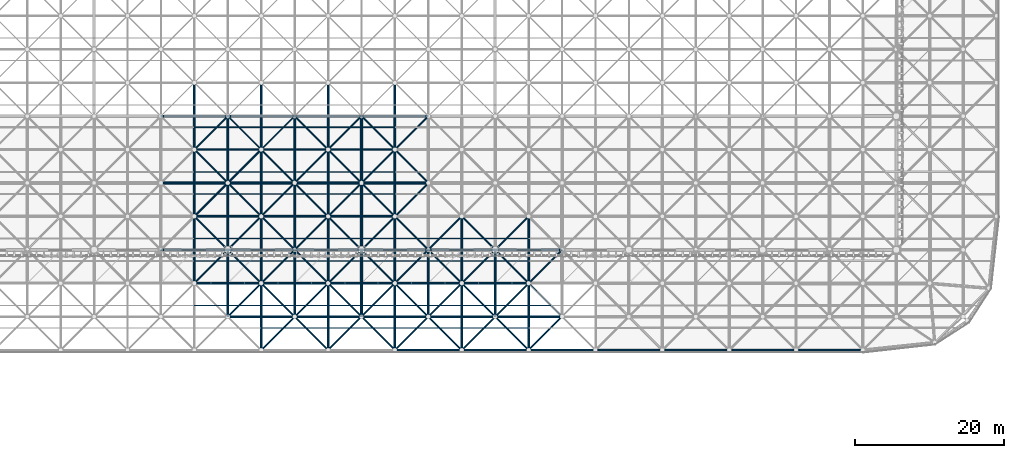
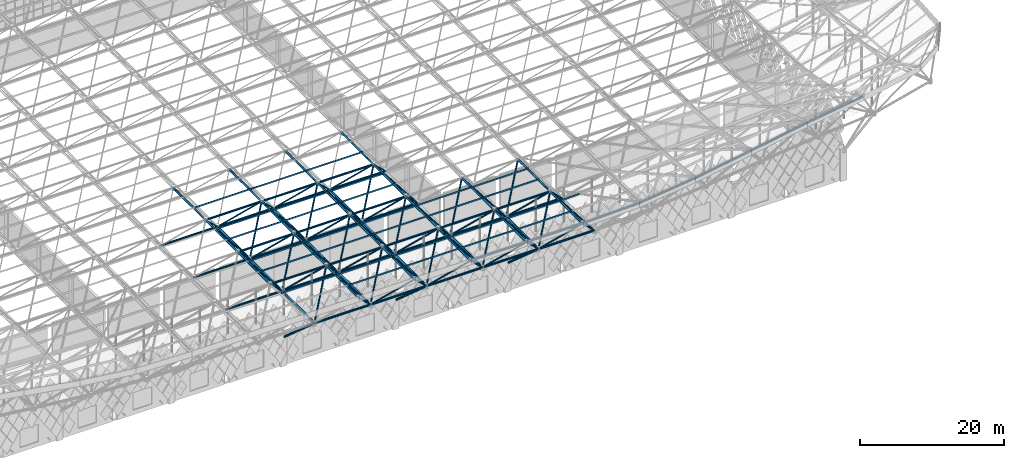
# One storey, part 85 of 437: 160 members.
"""IFC4 building model written with IfcOpenShell, lengths in metres."""

from ifc_helpers import new_model, si_unit, direction, frame, origin, origin_2d, place, context, subcontext, project, spatial, polyline, hollow_circle, outline, extrude, material, material_profile, profile_set, type_object, element, save


model = new_model("IFC4")

# Units and contexts
model_context = context("Model", 3, precision=1e-05, world=origin(), true_north=direction((0.0, 1.0)))
body_context = subcontext(model_context, "Body", "Model", "MODEL_VIEW")
ifc_project = project(units=[si_unit("LENGTHUNIT", "METRE"), si_unit("AREAUNIT", "SQUARE_METRE"), si_unit("VOLUMEUNIT", "CUBIC_METRE"), si_unit("PLANEANGLEUNIT", "RADIAN"), si_unit("MASSUNIT", "GRAM", prefix="KILO")], contexts=[model_context])

# Site, building, storey
site_placement = place(None, origin())
site = spatial("IfcSite", under=ifc_project, at=site_placement, CompositionType="ELEMENT")
building_placement = place(site_placement, origin())
building = spatial("IfcBuilding", under=site, at=building_placement, Name="Opaline Strait Convention Centre", CompositionType="ELEMENT")
storey_placement = place(building_placement, frame((0.0, 0.0, 11.5)))
storey = spatial("IfcBuildingStorey", under=building, at=storey_placement, Name="L02", CompositionType="ELEMENT", Elevation=11.5)

# Members
ifc_material = material(Name="Steel Q355B", Category="steel")
ifc_material_profile_1 = material_profile(ifc_material, hollow_circle(Radius=0.175537109375, WallThickness=0.01611328125, at=origin_2d()), Name="CHS 351x16")
ifc_profile_set_1 = profile_set([ifc_material_profile_1], Name="Steel Q355B")
member_type_1 = type_object("IfcMemberType", Name="Raking prop CHS 351x16", PredefinedType="BRACE", material=ifc_profile_set_1)
for number, where, z_axis, x_axis, name in (
    (1, (171.0, 53.48388671875, 5.01416015625), (0.0, -0.749834093781, 0.661625900191), (1.0, 0.0, 0.0), "Raking prop 171/54 S"),
    (2, (189.0, 53.48388671875, 5.01416015625), (0.0, -0.749834093781, 0.661625900191), (1.0, 0.0, 0.0), "Raking prop 189/54 S"),
    (3, (207.0, 53.48388671875, 5.01416015625), (0.0, -0.749834093781, 0.661625900191), (1.0, 0.0, 0.0), "Raking prop 207/54 S"),
):
    element("IfcMember", number, at=place(storey_placement, frame(where, z_axis=z_axis, x_axis=x_axis)), inside=storey, type_object=member_type_1, Name=name, PredefinedType="BRACE", context=body_context, shape_type="SweptSolid", body=[
        extrude(hollow_circle(Radius=0.175537109375, WallThickness=0.01611328125, at=origin_2d()), origin(), (0.0, 0.0, 1.0), 11.364501953125),
    ])
ifc_material_profile_2 = material_profile(ifc_material, outline(polyline([(-0.03759765625, -0.125), (0.03759765625, -0.125), (0.03759765625, -0.10498046875), (0.034912109375, -0.10498046875), (0.034912109375, -0.12255859375), (-0.034912109375, -0.12255859375), (-0.034912109375, 0.12255859375), (0.034912109375, 0.12255859375), (0.034912109375, 0.10498046875), (0.03759765625, 0.10498046875), (0.03759765625, 0.125), (-0.03759765625, 0.125), (-0.03759765625, -0.125)])), Name="C 250x75x20x2.5")
ifc_profile_set_2 = profile_set([ifc_material_profile_2], Name="Steel Q355B")
member_type_2 = type_object("IfcMemberType", Name="Roof purlin C 250x75x20x2.5", PredefinedType="PURLIN", material=ifc_profile_set_2)
for number, where, z_axis, x_axis, name in (
    (4, (166.5, 46.5, 18.257080078125), (1.0, 0.0, 0.0), (0.0, 1.0, 0.0), "EXB-RF-P-9-0-1"),
    (5, (175.5, 43.5, 18.257080078125), (1.0, 0.0, 0.0), (0.0, 1.0, 0.0), "EXB-RF-P-10-0-0"),
    (6, (175.5, 46.5, 18.257080078125), (1.0, 0.0, 0.0), (0.0, 1.0, 0.0), "EXB-RF-P-10-0-1"),
    (7, (184.5, 43.5, 18.257080078125), (1.0, 0.0, 0.0), (0.0, 1.0, 0.0), "EXB-RF-P-11-0-0"),
    (8, (184.5, 46.5, 18.257080078125), (1.0, 0.0, 0.0), (0.0, 1.0, 0.0), "EXB-RF-P-11-0-1"),
    (9, (193.5, 43.5, 18.257080078125), (1.0, 0.0, 0.0), (0.0, 1.0, 0.0), "EXB-RF-P-12-0-0"),
    (10, (193.5, 46.5, 18.257080078125), (1.0, 0.0, 0.0), (0.0, 1.0, 0.0), "EXB-RF-P-12-0-1"),
    (11, (202.5, 43.5, 18.257080078125), (1.0, 0.0, 0.0), (0.0, 1.0, 0.0), "EXB-RF-P-13-0-0"),
    (12, (202.5, 46.5, 18.257080078125), (1.0, 0.0, 0.0), (0.0, 1.0, 0.0), "EXB-RF-P-13-0-1"),
):
    element("IfcMember", number, at=place(storey_placement, frame(where, z_axis=z_axis, x_axis=x_axis)), inside=storey, type_object=member_type_2, Name=name, PredefinedType="PURLIN", context=body_context, shape_type="SweptSolid", body=[
        extrude(outline(polyline([(-0.03759765625, -0.125), (0.03759765625, -0.125), (0.03759765625, -0.10498046875), (0.034912109375, -0.10498046875), (0.034912109375, -0.12255859375), (-0.034912109375, -0.12255859375), (-0.034912109375, 0.12255859375), (0.034912109375, 0.12255859375), (0.034912109375, 0.10498046875), (0.03759765625, 0.10498046875), (0.03759765625, 0.125), (-0.03759765625, 0.125), (-0.03759765625, -0.125)])), origin(), (0.0, 0.0, 1.0), 9.0),
    ])
member_1_placement = place(storey_placement, frame((211.5, 46.5, 18.257080078125), z_axis=(0.999606664128, 0.0, 0.028044910961), x_axis=(0.0, 1.0, 0.0)))
element("IfcMember", 13, at=member_1_placement, inside=storey, type_object=member_type_2, Name="EXB-RF-P-14-0-1b", PredefinedType="PURLIN", context=body_context, shape_type="SweptSolid", body=[
    extrude(outline(polyline([(-0.03759765625, -0.125), (0.03759765625, -0.125), (0.03759765625, -0.10498046875), (0.034912109375, -0.10498046875), (0.034912109375, -0.12255859375), (-0.034912109375, -0.12255859375), (-0.034912109375, 0.12255859375), (0.034912109375, 0.12255859375), (0.034912109375, 0.10498046875), (0.03759765625, 0.10498046875), (0.03759765625, 0.125), (-0.03759765625, 0.125), (-0.03759765625, -0.125)])), origin(), (0.0, 0.0, 1.0), 2.951171875),
])
for number, where, z_axis, x_axis, name in (
    (14, (166.5, 52.5, 18.257080078125), (1.0, 0.0, 0.0), (0.0, 1.0, 0.0), "EXB-RF-P-9-1-0"),
    (15, (166.5, 55.5, 18.257080078125), (1.0, 0.0, 0.0), (0.0, 1.0, 0.0), "EXB-RF-P-9-1-1"),
    (16, (175.5, 52.5, 18.257080078125), (1.0, 0.0, 0.0), (0.0, 1.0, 0.0), "EXB-RF-P-10-1-0"),
    (17, (175.5, 55.5, 18.257080078125), (1.0, 0.0, 0.0), (0.0, 1.0, 0.0), "EXB-RF-P-10-1-1"),
    (18, (184.5, 52.5, 18.257080078125), (1.0, 0.0, 0.0), (0.0, 1.0, 0.0), "EXB-RF-P-11-1-0"),
    (19, (184.5, 55.5, 18.257080078125), (1.0, 0.0, 0.0), (0.0, 1.0, 0.0), "EXB-RF-P-11-1-1"),
    (20, (193.5, 52.5, 18.257080078125), (1.0, 0.0, 0.0), (0.0, 1.0, 0.0), "EXB-RF-P-12-1-0"),
    (21, (193.5, 55.5, 18.257080078125), (1.0, 0.0, 0.0), (0.0, 1.0, 0.0), "EXB-RF-P-12-1-1"),
    (22, (202.5, 52.5, 18.257080078125), (1.0, 0.0, 0.0), (0.0, 1.0, 0.0), "EXB-RF-P-13-1-0"),
    (23, (202.5, 55.5, 18.257080078125), (1.0, 0.0, 0.0), (0.0, 1.0, 0.0), "EXB-RF-P-13-1-1"),
    (24, (166.5, 61.5, 18.257080078125), (1.0, 0.0, 0.0), (0.0, 1.0, 0.0), "EXB-RF-P-9-2-0"),
    (25, (166.5, 64.5, 18.257080078125), (1.0, 0.0, 0.0), (0.0, 1.0, 0.0), "EXB-RF-P-9-2-1"),
    (26, (175.5, 61.5, 18.257080078125), (1.0, 0.0, 0.0), (0.0, 1.0, 0.0), "EXB-RF-P-10-2-0"),
    (27, (175.5, 64.5, 18.257080078125), (1.0, 0.0, 0.0), (0.0, 1.0, 0.0), "EXB-RF-P-10-2-1"),
    (28, (184.5, 61.5, 18.257080078125), (1.0, 0.0, 0.0), (0.0, 1.0, 0.0), "EXB-RF-P-11-2-0"),
    (29, (184.5, 64.5, 18.257080078125), (1.0, 0.0, 0.0), (0.0, 1.0, 0.0), "EXB-RF-P-11-2-1"),
    (30, (166.5, 70.5, 18.257080078125), (1.0, 0.0, 0.0), (0.0, 1.0, 0.0), "EXB-RF-P-9-3-0"),
    (31, (175.5, 70.5, 18.257080078125), (1.0, 0.0, 0.0), (0.0, 1.0, 0.0), "EXB-RF-P-10-3-0"),
    (32, (184.5, 70.5, 18.257080078125), (1.0, 0.0, 0.0), (0.0, 1.0, 0.0), "EXB-RF-P-11-3-0"),
):
    element("IfcMember", number, at=place(storey_placement, frame(where, z_axis=z_axis, x_axis=x_axis)), inside=storey, type_object=member_type_2, Name=name, PredefinedType="PURLIN", context=body_context, shape_type="SweptSolid", body=[
        extrude(outline(polyline([(-0.03759765625, -0.125), (0.03759765625, -0.125), (0.03759765625, -0.10498046875), (0.034912109375, -0.10498046875), (0.034912109375, -0.12255859375), (-0.034912109375, -0.12255859375), (-0.034912109375, 0.12255859375), (0.034912109375, 0.12255859375), (0.034912109375, 0.10498046875), (0.03759765625, 0.10498046875), (0.03759765625, 0.125), (-0.03759765625, 0.125), (-0.03759765625, -0.125)])), origin(), (0.0, 0.0, 1.0), 9.0),
    ])
ifc_material_profile_3 = material_profile(ifc_material, hollow_circle(Radius=0.16259765625, WallThickness=0.013916015625, at=origin_2d()), Name="CHS 325x14")
ifc_profile_set_3 = profile_set([ifc_material_profile_3], Name="Steel Q355B")
member_type_3 = type_object("IfcMemberType", Name="Space frame bottom chord CHS 325x14", PredefinedType="CHORD", material=ifc_profile_set_3)
for number, where, z_axis, x_axis, name in (
    (33, (161.949951171875, 72.0, 12.5), (1.0, 0.0, 0.0), (0.0, 1.0, 0.0), "EXB-RF-BX-8-3"),
    (34, (170.949951171875, 72.0, 12.5), (1.0, 0.0, 0.0), (0.0, 1.0, 0.0), "EXB-RF-BX-9-3"),
    (35, (179.949951171875, 72.0, 12.5), (1.0, 0.0, 0.0), (0.0, 1.0, 0.0), "EXB-RF-BX-10-3"),
    (36, (188.949951171875, 72.0, 12.5), (1.0, 0.0, 0.0), (0.0, 1.0, 0.0), "EXB-RF-BX-11-3"),
    (37, (180.0, 62.949951171875, 12.5), (0.0, 1.0, 0.0), (-1.0, 0.0, 0.0), "EXB-RF-BY-10-2"),
):
    element("IfcMember", number, at=place(storey_placement, frame(where, z_axis=z_axis, x_axis=x_axis)), inside=storey, type_object=member_type_3, Name=name, PredefinedType="CHORD", context=body_context, shape_type="SweptSolid", body=[
        extrude(hollow_circle(Radius=0.16259765625, WallThickness=0.013916015625, at=origin_2d()), origin(), (0.0, 0.0, 1.0), 9.10009765625),
    ])
ifc_material_profile_4 = material_profile(ifc_material, hollow_circle(Radius=0.175537109375, WallThickness=0.01611328125, at=origin_2d()), Name="CHS 351x16")
ifc_profile_set_4 = profile_set([ifc_material_profile_4], Name="Steel Q355B")
member_type_4 = type_object("IfcMemberType", Name="Space frame bottom chord CHS 351x16", PredefinedType="CHORD", material=ifc_profile_set_4)
for number, where, z_axis, x_axis, name in (
    (38, (170.949951171875, 45.0, 12.5), (1.0, 0.0, 0.0), (0.0, 1.0, 0.0), "EXB-RF-BX-9-0"),
    (39, (179.949951171875, 45.0, 12.5), (1.0, 0.0, 0.0), (0.0, 1.0, 0.0), "EXB-RF-BX-10-0"),
    (40, (188.949951171875, 45.0, 12.5), (1.0, 0.0, 0.0), (0.0, 1.0, 0.0), "EXB-RF-BX-11-0"),
    (41, (197.949951171875, 45.0, 12.5), (1.0, 0.0, 0.0), (0.0, 1.0, 0.0), "EXB-RF-BX-12-0"),
    (42, (206.949951171875, 45.0, 12.5), (0.999999507324, 0.0, 0.000992648542), (0.0, 1.0, 0.0), "EXB-RF-BX-13-0"),
    (43, (161.949951171875, 54.0, 12.5), (1.0, 0.0, 0.0), (0.0, 1.0, 0.0), "EXB-RF-BX-8-1"),
    (44, (170.949951171875, 54.0, 12.5), (1.0, 0.0, 0.0), (0.0, 1.0, 0.0), "EXB-RF-BX-9-1"),
    (45, (179.949951171875, 54.0, 12.5), (1.0, 0.0, 0.0), (0.0, 1.0, 0.0), "EXB-RF-BX-10-1"),
    (46, (188.949951171875, 54.0, 12.5), (1.0, 0.0, 0.0), (0.0, 1.0, 0.0), "EXB-RF-BX-11-1"),
    (47, (197.949951171875, 54.0, 12.5), (1.0, 0.0, 0.0), (0.0, 1.0, 0.0), "EXB-RF-BX-12-1"),
    (48, (206.949951171875, 54.0, 12.5), (1.0, 0.0, 0.0), (0.0, 1.0, 0.0), "EXB-RF-BX-13-1"),
    (49, (161.949951171875, 63.0, 12.5), (1.0, 0.0, 0.0), (0.0, 1.0, 0.0), "EXB-RF-BX-8-2"),
    (50, (170.949951171875, 63.0, 12.5), (1.0, 0.0, 0.0), (0.0, 1.0, 0.0), "EXB-RF-BX-9-2"),
    (51, (179.949951171875, 63.0, 12.5), (1.0, 0.0, 0.0), (0.0, 1.0, 0.0), "EXB-RF-BX-10-2"),
    (52, (188.949951171875, 63.0, 12.5), (1.0, 0.0, 0.0), (0.0, 1.0, 0.0), "EXB-RF-BX-11-2"),
    (53, (171.0, 44.949951171875, 12.5), (0.0, 1.0, 0.0), (-1.0, 0.0, 0.0), "EXB-RF-BY-9-0"),
    (54, (171.0, 53.949951171875, 12.5), (0.0, 1.0, 0.0), (-1.0, 0.0, 0.0), "EXB-RF-BY-9-1"),
    (55, (171.0, 62.949951171875, 12.5), (0.0, 1.0, 0.0), (-1.0, 0.0, 0.0), "EXB-RF-BY-9-2"),
    (56, (180.0, 44.949951171875, 12.5), (0.0, 1.0, 0.0), (-1.0, 0.0, 0.0), "EXB-RF-BY-10-0"),
    (57, (180.0, 53.949951171875, 12.5), (0.0, 1.0, 0.0), (-1.0, 0.0, 0.0), "EXB-RF-BY-10-1"),
    (58, (189.0, 44.949951171875, 12.5), (0.0, 1.0, 0.0), (-1.0, 0.0, 0.0), "EXB-RF-BY-11-0"),
    (59, (189.0, 53.949951171875, 12.5), (0.0, 1.0, 0.0), (-1.0, 0.0, 0.0), "EXB-RF-BY-11-1"),
    (60, (189.0, 62.949951171875, 12.5), (0.0, 1.0, 0.0), (-1.0, 0.0, 0.0), "EXB-RF-BY-11-2"),
    (61, (198.0, 44.949951171875, 12.5), (0.0, 1.0, 0.0), (-1.0, 0.0, 0.0), "EXB-RF-BY-12-0"),
    (62, (207.0, 44.949951171875, 12.5), (0.0, 1.0, 0.0), (-1.0, 0.0, 0.0), "EXB-RF-BY-13-0"),
):
    element("IfcMember", number, at=place(storey_placement, frame(where, z_axis=z_axis, x_axis=x_axis)), inside=storey, type_object=member_type_4, Name=name, PredefinedType="CHORD", context=body_context, shape_type="SweptSolid", body=[
        extrude(hollow_circle(Radius=0.175537109375, WallThickness=0.01611328125, at=origin_2d()), origin(), (0.0, 0.0, 1.0), 9.10009765625),
    ])
ifc_material_profile_5 = material_profile(ifc_material, hollow_circle(Radius=0.16259765625, WallThickness=0.013916015625, at=origin_2d()), Name="CHS 325x14")
ifc_profile_set_5 = profile_set([ifc_material_profile_5], Name="Steel Q355B")
member_type_5 = type_object("IfcMemberType", Name="Space frame top chord CHS 325x14", PredefinedType="CHORD", material=ifc_profile_set_5)
member_2_placement = place(storey_placement, frame((193.449951171875, 40.5, 17.971435546875), z_axis=(1.0, 0.0, 0.0), x_axis=(0.0, 1.0, 0.0)))
element("IfcMember", 63, at=member_2_placement, inside=storey, type_object=member_type_5, Name="EXB-RF-TX-12-0", PredefinedType="CHORD", context=body_context, shape_type="SweptSolid", body=[
    extrude(hollow_circle(Radius=0.16259765625, WallThickness=0.013916015625, at=origin_2d()), origin(), (0.0, 0.0, 1.0), 9.10009765625),
])
member_3_placement = place(storey_placement, frame((211.449951171875, 40.5, 17.97021484375), z_axis=(0.999606481677, 0.0, 0.028051413313), x_axis=(0.0, 1.0, 0.0)))
element("IfcMember", 64, at=member_3_placement, inside=storey, type_object=member_type_5, Name="EXB-RF-TX-14-0", PredefinedType="CHORD", context=body_context, shape_type="SweptSolid", body=[
    extrude(hollow_circle(Radius=0.16259765625, WallThickness=0.013916015625, at=origin_2d()), origin(), (0.0, 0.0, 1.0), 9.103759765625),
])
member_4_placement = place(storey_placement, frame((229.45068359375, 40.5, 19.302978515625), z_axis=(0.985901966255, 0.0, 0.167323975973), x_axis=(0.0, 1.0, 0.0)))
element("IfcMember", 65, at=member_4_placement, inside=storey, type_object=member_type_5, Name="EXB-RF-TX-16-0", PredefinedType="CHORD", context=body_context, shape_type="SweptSolid", body=[
    extrude(hollow_circle(Radius=0.16259765625, WallThickness=0.013916015625, at=origin_2d()), origin(), (0.0, 0.0, 1.0), 9.228759765625),
])
member_5_placement = place(storey_placement, frame((247.450439453125, 40.5, 22.416259765625), z_axis=(0.989023771129, 0.0, 0.147756489339), x_axis=(0.0, 1.0, 0.0)))
element("IfcMember", 66, at=member_5_placement, inside=storey, type_object=member_type_5, Name="EXB-RF-TX-18-0", PredefinedType="CHORD", context=body_context, shape_type="SweptSolid", body=[
    extrude(hollow_circle(Radius=0.16259765625, WallThickness=0.013916015625, at=origin_2d()), origin(), (0.0, 0.0, 1.0), 9.2001953125),
])
for number, where, z_axis, x_axis, name in (
    (67, (175.449951171875, 67.5, 17.971435546875), (1.0, 0.0, 0.0), (0.0, 1.0, 0.0), "EXB-RF-TX-10-3"),
    (68, (166.5, 67.449951171875, 17.971435546875), (0.0, 1.0, 0.0), (-1.0, 0.0, 0.0), "EXB-RF-TY-9-3"),
    (69, (175.5, 67.449951171875, 17.971435546875), (0.0, 1.0, 0.0), (-1.0, 0.0, 0.0), "EXB-RF-TY-10-3"),
    (70, (184.5, 67.449951171875, 17.971435546875), (0.0, 1.0, 0.0), (-1.0, 0.0, 0.0), "EXB-RF-TY-11-3"),
    (71, (193.5, 67.449951171875, 17.971435546875), (0.0, 1.0, 0.0), (-1.0, 0.0, 0.0), "EXB-RF-TY-12-3"),
):
    element("IfcMember", number, at=place(storey_placement, frame(where, z_axis=z_axis, x_axis=x_axis)), inside=storey, type_object=member_type_5, Name=name, PredefinedType="CHORD", context=body_context, shape_type="SweptSolid", body=[
        extrude(hollow_circle(Radius=0.16259765625, WallThickness=0.013916015625, at=origin_2d()), origin(), (0.0, 0.0, 1.0), 9.10009765625),
    ])
ifc_material_profile_6 = material_profile(ifc_material, hollow_circle(Radius=0.16259765625, WallThickness=0.02001953125, at=origin_2d()), Name="CHS 325x20")
ifc_profile_set_6 = profile_set([ifc_material_profile_6], Name="Steel Q355B")
member_type_6 = type_object("IfcMemberType", Name="Space frame top chord CHS 325x20", PredefinedType="CHORD", material=ifc_profile_set_6)
member_6_placement = place(storey_placement, frame((202.449951171875, 40.5, 17.971435546875), z_axis=(1.0, 0.0, 0.0), x_axis=(0.0, 1.0, 0.0)))
element("IfcMember", 72, at=member_6_placement, inside=storey, type_object=member_type_6, Name="EXB-RF-TX-13-0", PredefinedType="CHORD", context=body_context, shape_type="SweptSolid", body=[
    extrude(hollow_circle(Radius=0.16259765625, WallThickness=0.02001953125, at=origin_2d()), origin(), (0.0, 0.0, 1.0), 9.10009765625),
])
member_7_placement = place(storey_placement, frame((220.450439453125, 40.5, 18.21826171875), z_axis=(0.992783260631, 0.0, 0.119922464163), x_axis=(0.0, 1.0, 0.0)))
element("IfcMember", 73, at=member_7_placement, inside=storey, type_object=member_type_6, Name="EXB-RF-TX-15-0", PredefinedType="CHORD", context=body_context, shape_type="SweptSolid", body=[
    extrude(hollow_circle(Radius=0.16259765625, WallThickness=0.02001953125, at=origin_2d()), origin(), (0.0, 0.0, 1.0), 9.165283203125),
])
member_8_placement = place(storey_placement, frame((238.45068359375, 40.5, 20.830078125), z_axis=(0.984849995483, 0.0, 0.17340843808), x_axis=(0.0, 1.0, 0.0)))
element("IfcMember", 74, at=member_8_placement, inside=storey, type_object=member_type_6, Name="EXB-RF-TX-17-0", PredefinedType="CHORD", context=body_context, shape_type="SweptSolid", body=[
    extrude(hollow_circle(Radius=0.16259765625, WallThickness=0.02001953125, at=origin_2d()), origin(), (0.0, 0.0, 1.0), 9.238525390625),
])
for number, where, z_axis, x_axis, name in (
    (75, (166.449951171875, 49.5, 17.971435546875), (1.0, 0.0, 0.0), (0.0, 1.0, 0.0), "EXB-RF-TX-9-1"),
    (76, (175.449951171875, 49.5, 17.971435546875), (1.0, 0.0, 0.0), (0.0, 1.0, 0.0), "EXB-RF-TX-10-1"),
    (77, (184.449951171875, 49.5, 17.971435546875), (1.0, 0.0, 0.0), (0.0, 1.0, 0.0), "EXB-RF-TX-11-1"),
    (78, (193.449951171875, 49.5, 17.971435546875), (1.0, 0.0, 0.0), (0.0, 1.0, 0.0), "EXB-RF-TX-12-1"),
    (79, (202.449951171875, 49.5, 17.971435546875), (1.0, 0.0, 0.0), (0.0, 1.0, 0.0), "EXB-RF-TX-13-1"),
    (80, (166.449951171875, 58.5, 17.971435546875), (1.0, 0.0, 0.0), (0.0, 1.0, 0.0), "EXB-RF-TX-9-2"),
    (81, (175.449951171875, 58.5, 17.971435546875), (1.0, 0.0, 0.0), (0.0, 1.0, 0.0), "EXB-RF-TX-10-2"),
    (82, (184.449951171875, 58.5, 17.971435546875), (1.0, 0.0, 0.0), (0.0, 1.0, 0.0), "EXB-RF-TX-11-2"),
    (83, (166.449951171875, 67.5, 17.971435546875), (1.0, 0.0, 0.0), (0.0, 1.0, 0.0), "EXB-RF-TX-9-3"),
    (84, (184.449951171875, 67.5, 17.971435546875), (1.0, 0.0, 0.0), (0.0, 1.0, 0.0), "EXB-RF-TX-11-3"),
    (85, (166.5, 49.449951171875, 17.971435546875), (0.0, 1.0, 0.0), (-1.0, 0.0, 0.0), "EXB-RF-TY-9-1"),
    (86, (166.5, 58.449951171875, 17.971435546875), (0.0, 1.0, 0.0), (-1.0, 0.0, 0.0), "EXB-RF-TY-9-2"),
    (87, (175.5, 40.449951171875, 17.971435546875), (0.0, 1.0, 0.0), (-1.0, 0.0, 0.0), "EXB-RF-TY-10-0"),
    (88, (175.5, 49.449951171875, 17.971435546875), (0.0, 1.0, 0.0), (-1.0, 0.0, 0.0), "EXB-RF-TY-10-1"),
    (89, (175.5, 58.449951171875, 17.971435546875), (0.0, 1.0, 0.0), (-1.0, 0.0, 0.0), "EXB-RF-TY-10-2"),
    (90, (184.5, 40.449951171875, 17.971435546875), (0.0, 1.0, 0.0), (-1.0, 0.0, 0.0), "EXB-RF-TY-11-0"),
    (91, (184.5, 49.449951171875, 17.971435546875), (0.0, 1.0, 0.0), (-1.0, 0.0, 0.0), "EXB-RF-TY-11-1"),
    (92, (184.5, 58.449951171875, 17.971435546875), (0.0, 1.0, 0.0), (-1.0, 0.0, 0.0), "EXB-RF-TY-11-2"),
    (93, (193.5, 40.449951171875, 17.971435546875), (0.0, 1.0, 0.0), (-1.0, 0.0, 0.0), "EXB-RF-TY-12-0"),
    (94, (193.5, 49.449951171875, 17.971435546875), (0.0, 1.0, 0.0), (-1.0, 0.0, 0.0), "EXB-RF-TY-12-1"),
    (95, (193.5, 58.449951171875, 17.971435546875), (0.0, 1.0, 0.0), (-1.0, 0.0, 0.0), "EXB-RF-TY-12-2"),
    (96, (202.5, 40.449951171875, 17.971435546875), (0.0, 1.0, 0.0), (-1.0, 0.0, 0.0), "EXB-RF-TY-13-0"),
    (97, (202.5, 49.449951171875, 17.971435546875), (0.0, 1.0, 0.0), (-1.0, 0.0, 0.0), "EXB-RF-TY-13-1"),
    (98, (211.5, 40.449951171875, 17.971435546875), (0.0, 1.0, 0.0), (-1.0, 0.0, 0.0), "EXB-RF-TY-14-0"),
    (99, (211.5, 49.449951171875, 17.971435546875), (0.0, 1.0, 0.0), (-1.0, 0.0, 0.0), "EXB-RF-TY-14-1"),
):
    element("IfcMember", number, at=place(storey_placement, frame(where, z_axis=z_axis, x_axis=x_axis)), inside=storey, type_object=member_type_6, Name=name, PredefinedType="CHORD", context=body_context, shape_type="SweptSolid", body=[
        extrude(hollow_circle(Radius=0.16259765625, WallThickness=0.02001953125, at=origin_2d()), origin(), (0.0, 0.0, 1.0), 9.10009765625),
    ])
ifc_material_profile_7 = material_profile(ifc_material, hollow_circle(Radius=0.109619140625, WallThickness=0.010009765625, at=origin_2d()), Name="CHS 219x10")
ifc_profile_set_7 = profile_set([ifc_material_profile_7], Name="Steel Q355B")
member_type_7 = type_object("IfcMemberType", Name="Space frame web CHS 219x10", PredefinedType="BRACE", material=ifc_profile_set_7)
for number, where, z_axis, x_axis, name in (
    (100, (166.47314453125, 67.47314453125, 18.004150390625), (0.536178220346, 0.536178220346, -0.6519400525), (-0.707106781187, 0.707106781187, 0.0), "EXB-RF-W-9-3-00"),
    (101, (175.52685546875, 67.47314453125, 18.004150390625), (-0.536178220346, 0.536178220346, -0.6519400525), (-0.707106781187, -0.707106781187, 0.0), "EXB-RF-W-9-3-10"),
    (102, (175.47314453125, 67.47314453125, 18.004150390625), (0.536178220346, 0.536178220346, -0.6519400525), (-0.707106781187, 0.707106781187, 0.0), "EXB-RF-W-10-3-00"),
    (103, (184.52685546875, 67.47314453125, 18.004150390625), (-0.536178220346, 0.536178220346, -0.6519400525), (-0.707106781187, -0.707106781187, 0.0), "EXB-RF-W-10-3-10"),
    (104, (184.47314453125, 67.47314453125, 18.004150390625), (0.536178220346, 0.536178220346, -0.6519400525), (-0.707106781187, 0.707106781187, 0.0), "EXB-RF-W-11-3-00"),
    (105, (193.52685546875, 67.47314453125, 18.004150390625), (-0.536178220346, 0.536178220346, -0.6519400525), (-0.707106781187, -0.707106781187, 0.0), "EXB-RF-W-11-3-10"),
    (106, (193.47314453125, 67.47314453125, 18.004150390625), (0.536178220346, 0.536178220346, -0.6519400525), (-0.707106781187, 0.707106781187, 0.0), "EXB-RF-W-12-3-00"),
):
    element("IfcMember", number, at=place(storey_placement, frame(where, z_axis=z_axis, x_axis=x_axis)), inside=storey, type_object=member_type_7, Name=name, PredefinedType="BRACE", context=body_context, shape_type="SweptSolid", body=[
        extrude(hollow_circle(Radius=0.109619140625, WallThickness=0.010009765625, at=origin_2d()), origin(), (0.0, 0.0, 1.0), 8.492919921875),
    ])
ifc_material_profile_8 = material_profile(ifc_material, hollow_circle(Radius=0.12255859375, WallThickness=0.011962890625, at=origin_2d()), Name="CHS 245x12")
ifc_profile_set_8 = profile_set([ifc_material_profile_8], Name="Steel Q355B")
member_type_8 = type_object("IfcMemberType", Name="Space frame web CHS 245x12", PredefinedType="BRACE", material=ifc_profile_set_8)
for number, where, z_axis, x_axis, name in (
    (107, (175.52685546875, 49.52685546875, 18.004150390625), (-0.536178220346, -0.536178220346, -0.6519400525), (0.707106781187, -0.707106781187, 0.0), "EXB-RF-W-9-0-11"),
    (108, (166.47314453125, 49.47314453125, 18.004150390625), (0.536178220346, 0.536178220346, -0.6519400525), (-0.707106781187, 0.707106781187, 0.0), "EXB-RF-W-9-1-00"),
    (109, (166.47314453125, 58.52685546875, 18.004150390625), (0.536178220346, -0.536178220346, -0.6519400525), (0.707106781187, 0.707106781187, 0.0), "EXB-RF-W-9-1-01"),
    (110, (175.52685546875, 49.47314453125, 18.004150390625), (-0.536178220346, 0.536178220346, -0.6519400525), (-0.707106781187, -0.707106781187, 0.0), "EXB-RF-W-9-1-10"),
    (111, (175.52685546875, 58.52685546875, 18.004150390625), (-0.536178220346, -0.536178220346, -0.6519400525), (0.707106781187, -0.707106781187, 0.0), "EXB-RF-W-9-1-11"),
    (112, (166.47314453125, 58.47314453125, 18.004150390625), (0.536178220346, 0.536178220346, -0.6519400525), (-0.707106781187, 0.707106781187, 0.0), "EXB-RF-W-9-2-00"),
    (113, (166.47314453125, 67.52685546875, 18.004150390625), (0.536178220346, -0.536178220346, -0.6519400525), (0.707106781187, 0.707106781187, 0.0), "EXB-RF-W-9-2-01"),
    (114, (175.52685546875, 58.47314453125, 18.004150390625), (-0.536178220346, 0.536178220346, -0.6519400525), (-0.707106781187, -0.707106781187, 0.0), "EXB-RF-W-9-2-10"),
    (115, (175.52685546875, 67.52685546875, 18.004150390625), (-0.536178220346, -0.536178220346, -0.6519400525), (0.707106781187, -0.707106781187, 0.0), "EXB-RF-W-9-2-11"),
    (116, (175.47314453125, 40.47314453125, 18.004150390625), (0.536178220346, 0.536178220346, -0.6519400525), (-0.707106781187, 0.707106781187, 0.0), "EXB-RF-W-10-0-00"),
    (117, (175.47314453125, 49.52685546875, 18.004150390625), (0.536178220346, -0.536178220346, -0.6519400525), (0.707106781187, 0.707106781187, 0.0), "EXB-RF-W-10-0-01"),
    (118, (184.52685546875, 40.47314453125, 18.004150390625), (-0.536178220346, 0.536178220346, -0.6519400525), (-0.707106781187, -0.707106781187, 0.0), "EXB-RF-W-10-0-10"),
    (119, (184.52685546875, 49.52685546875, 18.004150390625), (-0.536178220346, -0.536178220346, -0.6519400525), (0.707106781187, -0.707106781187, 0.0), "EXB-RF-W-10-0-11"),
    (120, (175.47314453125, 49.47314453125, 18.004150390625), (0.536178220346, 0.536178220346, -0.6519400525), (-0.707106781187, 0.707106781187, 0.0), "EXB-RF-W-10-1-00"),
    (121, (175.47314453125, 58.52685546875, 18.004150390625), (0.536178220346, -0.536178220346, -0.6519400525), (0.707106781187, 0.707106781187, 0.0), "EXB-RF-W-10-1-01"),
    (122, (184.52685546875, 49.47314453125, 18.004150390625), (-0.536178220346, 0.536178220346, -0.6519400525), (-0.707106781187, -0.707106781187, 0.0), "EXB-RF-W-10-1-10"),
    (123, (184.52685546875, 58.52685546875, 18.004150390625), (-0.536178220346, -0.536178220346, -0.6519400525), (0.707106781187, -0.707106781187, 0.0), "EXB-RF-W-10-1-11"),
    (124, (175.47314453125, 58.47314453125, 18.004150390625), (0.536178220346, 0.536178220346, -0.6519400525), (-0.707106781187, 0.707106781187, 0.0), "EXB-RF-W-10-2-00"),
    (125, (175.47314453125, 67.52685546875, 18.004150390625), (0.536178220346, -0.536178220346, -0.6519400525), (0.707106781187, 0.707106781187, 0.0), "EXB-RF-W-10-2-01"),
    (126, (184.52685546875, 58.47314453125, 18.004150390625), (-0.536178220346, 0.536178220346, -0.6519400525), (-0.707106781187, -0.707106781187, 0.0), "EXB-RF-W-10-2-10"),
    (127, (184.52685546875, 67.52685546875, 18.004150390625), (-0.536178220346, -0.536178220346, -0.6519400525), (0.707106781187, -0.707106781187, 0.0), "EXB-RF-W-10-2-11"),
    (128, (184.47314453125, 40.47314453125, 18.004150390625), (0.536178220346, 0.536178220346, -0.6519400525), (-0.707106781187, 0.707106781187, 0.0), "EXB-RF-W-11-0-00"),
    (129, (184.47314453125, 49.52685546875, 18.004150390625), (0.536178220346, -0.536178220346, -0.6519400525), (0.707106781187, 0.707106781187, 0.0), "EXB-RF-W-11-0-01"),
    (130, (193.52685546875, 40.47314453125, 18.004150390625), (-0.536178220346, 0.536178220346, -0.6519400525), (-0.707106781187, -0.707106781187, 0.0), "EXB-RF-W-11-0-10"),
    (131, (193.52685546875, 49.52685546875, 18.004150390625), (-0.536178220346, -0.536178220346, -0.6519400525), (0.707106781187, -0.707106781187, 0.0), "EXB-RF-W-11-0-11"),
    (132, (184.47314453125, 49.47314453125, 18.004150390625), (0.536178220346, 0.536178220346, -0.6519400525), (-0.707106781187, 0.707106781187, 0.0), "EXB-RF-W-11-1-00"),
    (133, (184.47314453125, 58.52685546875, 18.004150390625), (0.536178220346, -0.536178220346, -0.6519400525), (0.707106781187, 0.707106781187, 0.0), "EXB-RF-W-11-1-01"),
    (134, (193.52685546875, 49.47314453125, 18.004150390625), (-0.536178220346, 0.536178220346, -0.6519400525), (-0.707106781187, -0.707106781187, 0.0), "EXB-RF-W-11-1-10"),
    (135, (193.52685546875, 58.52685546875, 18.004150390625), (-0.536178220346, -0.536178220346, -0.6519400525), (0.707106781187, -0.707106781187, 0.0), "EXB-RF-W-11-1-11"),
    (136, (184.47314453125, 58.47314453125, 18.004150390625), (0.536178220346, 0.536178220346, -0.6519400525), (-0.707106781187, 0.707106781187, 0.0), "EXB-RF-W-11-2-00"),
    (137, (184.47314453125, 67.52685546875, 18.004150390625), (0.536178220346, -0.536178220346, -0.6519400525), (0.707106781187, 0.707106781187, 0.0), "EXB-RF-W-11-2-01"),
    (138, (193.52685546875, 58.47314453125, 18.004150390625), (-0.536178220346, 0.536178220346, -0.6519400525), (-0.707106781187, -0.707106781187, 0.0), "EXB-RF-W-11-2-10"),
    (139, (193.52685546875, 67.52685546875, 18.004150390625), (-0.536178220346, -0.536178220346, -0.6519400525), (0.707106781187, -0.707106781187, 0.0), "EXB-RF-W-11-2-11"),
    (140, (193.47314453125, 40.47314453125, 18.004150390625), (0.536178220346, 0.536178220346, -0.6519400525), (-0.707106781187, 0.707106781187, 0.0), "EXB-RF-W-12-0-00"),
    (141, (193.47314453125, 49.52685546875, 18.004150390625), (0.536178220346, -0.536178220346, -0.6519400525), (0.707106781187, 0.707106781187, 0.0), "EXB-RF-W-12-0-01"),
    (142, (202.52685546875, 40.47314453125, 18.004150390625), (-0.536178220346, 0.536178220346, -0.6519400525), (-0.707106781187, -0.707106781187, 0.0), "EXB-RF-W-12-0-10"),
    (143, (202.52685546875, 49.52685546875, 18.004150390625), (-0.536178220346, -0.536178220346, -0.6519400525), (0.707106781187, -0.707106781187, 0.0), "EXB-RF-W-12-0-11"),
    (144, (193.47314453125, 49.47314453125, 18.004150390625), (0.536178220346, 0.536178220346, -0.6519400525), (-0.707106781187, 0.707106781187, 0.0), "EXB-RF-W-12-1-00"),
    (145, (193.47314453125, 58.52685546875, 18.004150390625), (0.536178220346, -0.536178220346, -0.6519400525), (0.707106781187, 0.707106781187, 0.0), "EXB-RF-W-12-1-01"),
    (146, (202.52685546875, 49.47314453125, 18.004150390625), (-0.536178220346, 0.536178220346, -0.6519400525), (-0.707106781187, -0.707106781187, 0.0), "EXB-RF-W-12-1-10"),
    (147, (202.52685546875, 58.52685546875, 18.004150390625), (-0.536178220346, -0.536178220346, -0.6519400525), (0.707106781187, -0.707106781187, 0.0), "EXB-RF-W-12-1-11"),
    (148, (193.47314453125, 58.47314453125, 18.004150390625), (0.536178220346, 0.536178220346, -0.6519400525), (-0.707106781187, 0.707106781187, 0.0), "EXB-RF-W-12-2-00"),
    (149, (193.47314453125, 67.52685546875, 18.004150390625), (0.536178220346, -0.536178220346, -0.6519400525), (0.707106781187, 0.707106781187, 0.0), "EXB-RF-W-12-2-01"),
    (150, (202.47314453125, 40.47314453125, 18.004150390625), (0.536178220346, 0.536178220346, -0.6519400525), (-0.707106781187, 0.707106781187, 0.0), "EXB-RF-W-13-0-00"),
    (151, (202.47314453125, 49.52685546875, 18.004150390625), (0.536178220346, -0.536178220346, -0.6519400525), (0.707106781187, 0.707106781187, 0.0), "EXB-RF-W-13-0-01"),
    (152, (211.52685546875, 40.47314453125, 18.004150390625), (-0.536178220346, 0.536178220346, -0.6519400525), (-0.707106781187, -0.707106781187, 0.0), "EXB-RF-W-13-0-10"),
    (153, (211.52685546875, 49.52685546875, 18.004150390625), (-0.536178220346, -0.536178220346, -0.6519400525), (0.707106781187, -0.707106781187, 0.0), "EXB-RF-W-13-0-11"),
    (154, (202.47314453125, 49.47314453125, 18.004150390625), (0.536178220346, 0.536178220346, -0.6519400525), (-0.707106781187, 0.707106781187, 0.0), "EXB-RF-W-13-1-00"),
    (155, (202.47314453125, 58.52685546875, 18.004150390625), (0.536178220346, -0.536178220346, -0.6519400525), (0.707106781187, 0.707106781187, 0.0), "EXB-RF-W-13-1-01"),
    (156, (211.52685546875, 49.47314453125, 18.004150390625), (-0.536178220346, 0.536178220346, -0.6519400525), (-0.707106781187, -0.707106781187, 0.0), "EXB-RF-W-13-1-10"),
    (157, (211.52685546875, 58.52685546875, 18.004150390625), (-0.536178220346, -0.536178220346, -0.6519400525), (0.707106781187, -0.707106781187, 0.0), "EXB-RF-W-13-1-11"),
):
    element("IfcMember", number, at=place(storey_placement, frame(where, z_axis=z_axis, x_axis=x_axis)), inside=storey, type_object=member_type_8, Name=name, PredefinedType="BRACE", context=body_context, shape_type="SweptSolid", body=[
        extrude(hollow_circle(Radius=0.12255859375, WallThickness=0.011962890625, at=origin_2d()), origin(), (0.0, 0.0, 1.0), 8.492919921875),
    ])
for number, where, z_axis, x_axis, name in (
    (158, (211.47314453125, 40.47314453125, 18.004150390625), (0.536550097538, 0.536550097538, -0.651327863417), (-0.707106781187, 0.707106781187, 0.0), "EXB-RF-W-14-0-00"),
    (159, (211.47314453125, 49.52685546875, 18.004150390625), (0.536550097538, -0.536550097538, -0.651327863417), (0.707106781187, 0.707106781187, 0.0), "EXB-RF-W-14-0-01"),
):
    element("IfcMember", number, at=place(storey_placement, frame(where, z_axis=z_axis, x_axis=x_axis)), inside=storey, type_object=member_type_8, Name=name, PredefinedType="BRACE", context=body_context, shape_type="SweptSolid", body=[
        extrude(hollow_circle(Radius=0.12255859375, WallThickness=0.011962890625, at=origin_2d()), origin(), (0.0, 0.0, 1.0), 8.487060546875),
    ])
member_9_placement = place(storey_placement, frame((211.47314453125, 49.47314453125, 18.004150390625), z_axis=(0.536178220346, 0.536178220346, -0.6519400525), x_axis=(-0.707106781187, 0.707106781187, 0.0)))
element("IfcMember", 160, at=member_9_placement, inside=storey, type_object=member_type_8, Name="EXB-RF-W-14-1-00", PredefinedType="BRACE", context=body_context, shape_type="SweptSolid", body=[
    extrude(hollow_circle(Radius=0.12255859375, WallThickness=0.011962890625, at=origin_2d()), origin(), (0.0, 0.0, 1.0), 8.492919921875),
])

save(model, "model.ifc")
